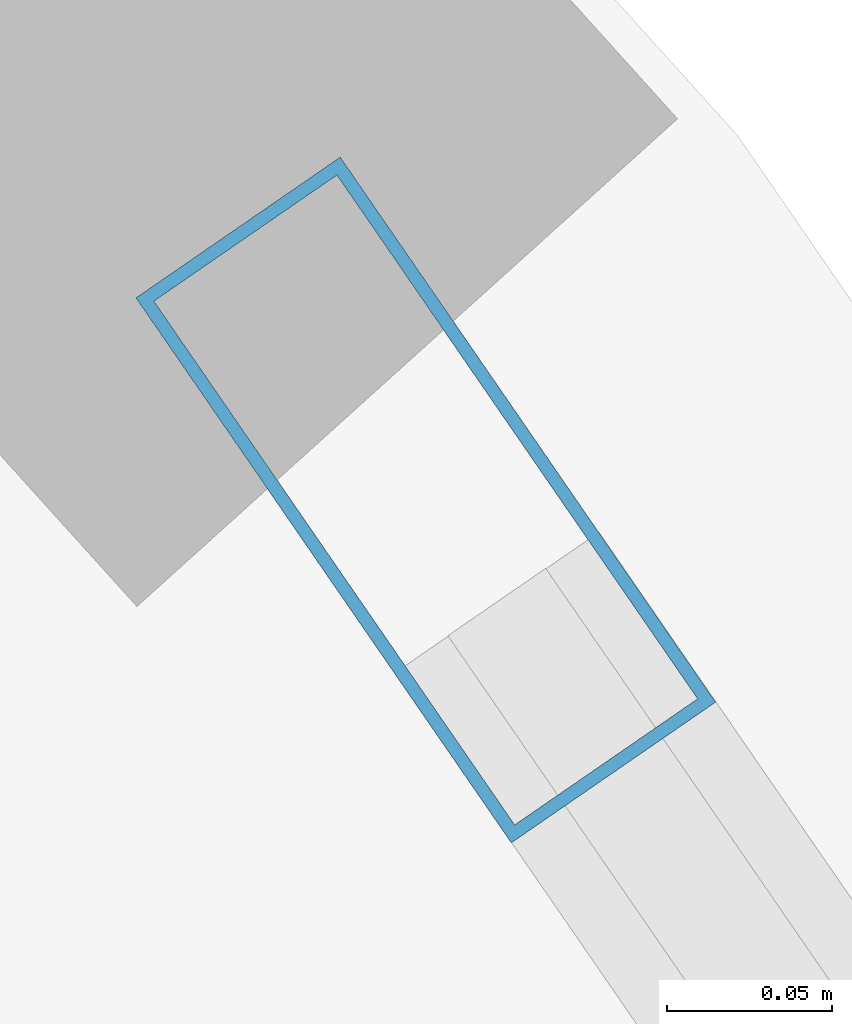
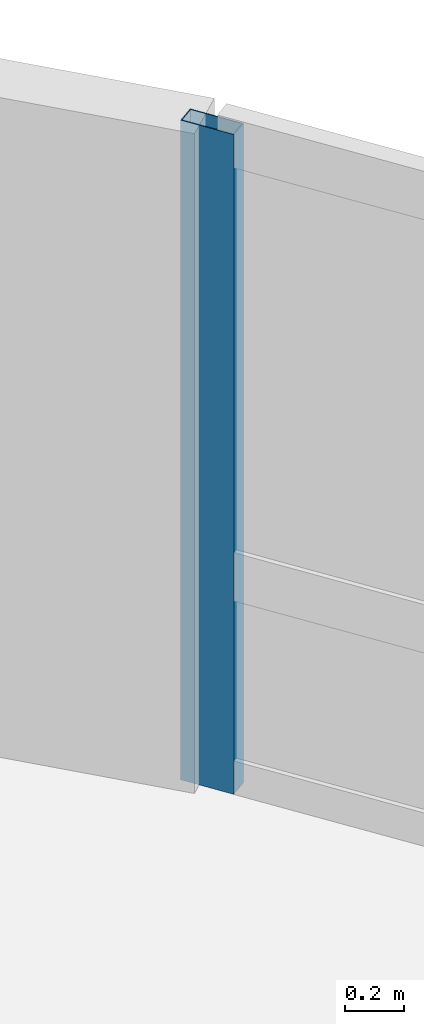
# One storey, part 14 of 23: 1 member, 1 element without a shape of its own.
"""IFC4 building model written with IfcOpenShell, lengths in metres."""

from ifc_helpers import new_model, si_unit, direction, frame, origin, origin_2d, place, context, subcontext, project, spatial, hollow_rectangle, extrude, material, layer, layer_set, material_profile, profile_set, type_object, element, aggregate, save


model = new_model("IFC4")

# Units and contexts
model_context = context("Model", 3, precision=1e-05, world=origin(), true_north=direction((0.0, 1.0)))
body_context = subcontext(model_context, "Body", "Model", "MODEL_VIEW")
ifc_project = project(units=[si_unit("LENGTHUNIT", "METRE"), si_unit("AREAUNIT", "SQUARE_METRE"), si_unit("VOLUMEUNIT", "CUBIC_METRE"), si_unit("PLANEANGLEUNIT", "RADIAN"), si_unit("MASSUNIT", "GRAM", prefix="KILO")], contexts=[model_context])

# Site, building, storey
site_placement = place(None, origin())
site = spatial("IfcSite", under=ifc_project, at=site_placement, CompositionType="ELEMENT")
building_placement = place(site_placement, origin())
building = spatial("IfcBuilding", under=site, at=building_placement, Name="Varnelok Gate Tower", CompositionType="ELEMENT")
storey_placement = place(building_placement, frame((0.0, 0.0, 273.0)))
storey = spatial("IfcBuildingStorey", under=building, at=storey_placement, Name="L70", CompositionType="ELEMENT", Elevation=273.0)

# Curtain wall, member
ifc_material = material(Name="Anodized Aluminum Alloy 6063-T6", Category="aluminium")
ifc_layer = layer(ifc_material, 0.179931640625)
ifc_layer_set = layer_set([ifc_layer], Name="Anodized Aluminum Alloy 6063-T6")
curtain_wall_type = type_object("IfcCurtainWallType", Name="CW4-RESIDENCE-VISION", PredefinedType="USERDEFINED", material=ifc_layer_set)
curtain_wall_placement = place(storey_placement, origin())
curtain_wall = element("IfcCurtainWall", 1, at=curtain_wall_placement, inside=storey, type_object=curtain_wall_type, Name="L70 East End Vision Curtain Wall", ObjectType="UNITISED CURTAIN WALL", PredefinedType="USERDEFINED")
ifc_material_profile = material_profile(ifc_material, hollow_rectangle(XDim=0.074951171875, YDim=0.199951171875, WallThickness=0.00390625, at=origin_2d()), Name="ALU200X75X4")
ifc_profile_set = profile_set([ifc_material_profile], Name="Anodized Aluminum Alloy 6063-T6")
member_type = type_object("IfcMemberType", Name="CW-MULL-200", PredefinedType="MULLION", material=ifc_profile_set)
member_placement = place(storey_placement, frame((57.515380859375, 56.8134765625, 0.0), z_axis=(0.0, 0.0, 1.0), x_axis=(0.823532290241, 0.567269395376, 0.0)))
member = element("IfcMember", 2, at=member_placement, type_object=member_type, Name="CW4 mullion 1", PredefinedType="MULLION", context=body_context, shape_type="SweptSolid", body=[
    extrude(hollow_rectangle(XDim=0.074951171875, YDim=0.199951171875, WallThickness=0.00390625, at=origin_2d()), origin(), (0.0, 0.0, 1.0), 2.72998046875),
])
aggregate(curtain_wall, [member])

save(model, "model.ifc")
